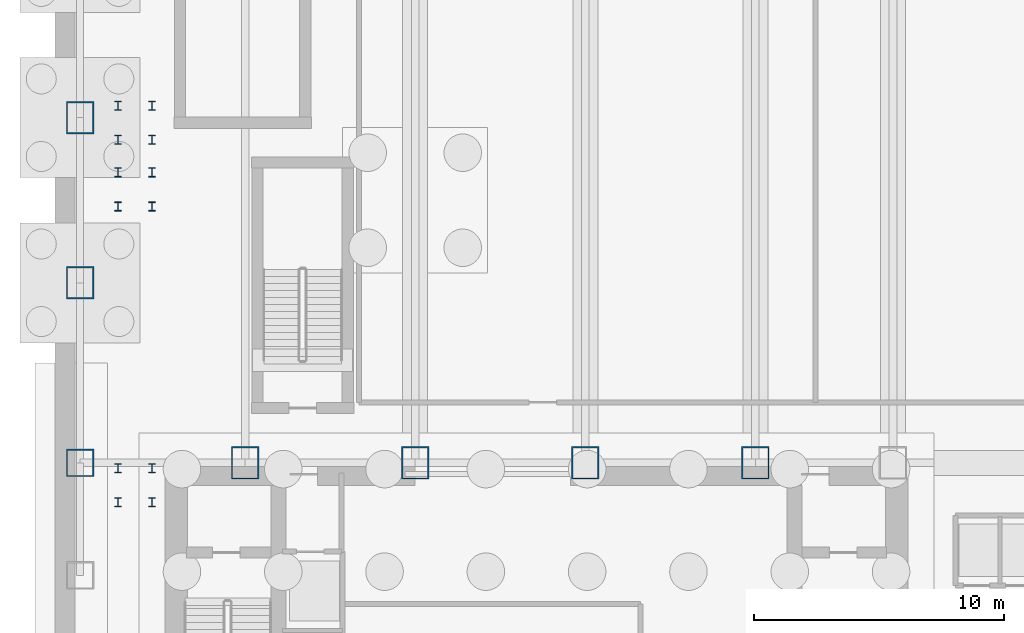
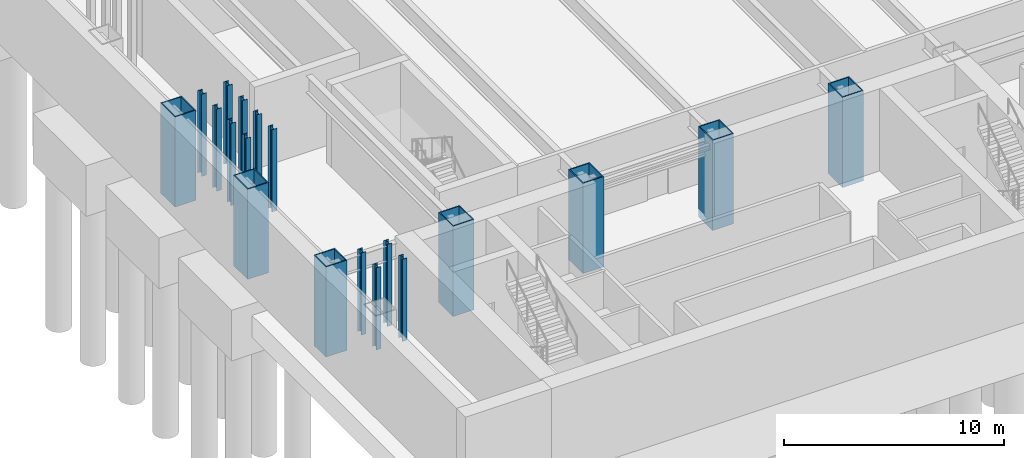
# One storey, part 3 of 17: 19 columns.
"""IFC4 building model written with IfcOpenShell, lengths in metres."""

import ifcopenshell
import ifcopenshell.guid

model = None  # the IFC model being written
_history = None  # IfcOwnerHistory: only IFC2X3 demands one
_inside = {}  # id of a spatial element -> (the spatial element, [elements in it])
_under = {}  # id of a project, library or spatial element -> (it, [spatial elements below it])
_declared = {}  # id of a project -> (the project, [libraries it declares])
_typed = {}  # id of a type object -> (the type object, [elements of that type])
_made_of = {}  # id of a material, layer set ... -> (it, [elements and type objects made of it])


def new_model(schema):
    """Start an empty IFC model of exactly this schema.

    Asked for "IFC4X3", IfcOpenShell would pick the latest addendum, in which some entities
    have other attributes; the version numbers below select the first issue.
    IFC2X3 requires an IfcOwnerHistory on every rooted entity: one is made here for all.
    """
    global model, _history
    if schema == "IFC4X3":
        model = ifcopenshell.file(schema_version=(4, 3, 0, 0))
    else:
        model = ifcopenshell.file(schema=schema)
    _inside.clear()
    _under.clear()
    _declared.clear()
    _typed.clear()
    _made_of.clear()
    _history = None
    if model.schema == "IFC2X3":
        org = make("IfcOrganization", Name="unknown")
        user = make(
            "IfcPersonAndOrganization",
            ThePerson=make("IfcPerson", FamilyName="unknown"),
            TheOrganization=org,
        )
        app = make(
            "IfcApplication",
            ApplicationDeveloper=org,
            Version="unknown",
            ApplicationFullName="unknown",
            ApplicationIdentifier="unknown",
        )
        _history = make(
            "IfcOwnerHistory",
            OwningUser=user,
            OwningApplication=app,
            ChangeAction="ADDED",
            CreationDate=0,
        )
    return model


def make(cls, **values):
    """One entity of the class cls with the attributes given. An attribute that is None is left unset."""
    return model.create_entity(
        cls, **{name: value for name, value in values.items() if value is not None}
    )


def rooted(cls, **values):
    """An entity with a GlobalId (a new one), such as an element, a storey or a relation."""
    return make(cls, GlobalId=ifcopenshell.guid.new(), OwnerHistory=_history, **values)


def si_unit(unit_type, name, prefix=None):
    """IfcSIUnit, for example si_unit("LENGTHUNIT", "METRE", prefix="MILLI")."""
    return make("IfcSIUnit", UnitType=unit_type, Prefix=prefix, Name=name)


def derived_unit(unit_type, elements):
    """IfcDerivedUnit: a product of units, each with its exponent."""
    return make(
        "IfcDerivedUnit",
        Elements=[
            make("IfcDerivedUnitElement", Unit=unit, Exponent=power)
            for unit, power in elements
        ],
        UnitType=unit_type,
    )


def assignment(units):
    """IfcUnitAssignment: the units of a project."""
    return None if units is None else make("IfcUnitAssignment", Units=units)


def point(xyz):
    """IfcCartesianPoint."""
    return None if xyz is None else make("IfcCartesianPoint", Coordinates=xyz)


def direction(xyz):
    """IfcDirection."""
    return None if xyz is None else make("IfcDirection", DirectionRatios=xyz)


def frame(location, z_axis=None, x_axis=None):
    """IfcAxis2Placement3D, a coordinate frame: its origin and axes. An axis left out is left unset."""
    return make(
        "IfcAxis2Placement3D",
        Location=point(location),
        Axis=direction(z_axis),
        RefDirection=direction(x_axis),
    )


def frame_2d(location, x_axis=None):
    """IfcAxis2Placement2D, a coordinate frame in the plane: its origin and x axis."""
    return make(
        "IfcAxis2Placement2D", Location=point(location), RefDirection=direction(x_axis)
    )


def origin():
    """The frame at (0, 0, 0) with its axes left unset."""
    return frame((0.0, 0.0, 0.0))


def origin_2d():
    """The frame at (0, 0) in the plane with its x axis left unset."""
    return frame_2d((0.0, 0.0))


def place(relative_to, where):
    """IfcLocalPlacement: puts the frame where relative to a parent placement (None: the world)."""
    return make(
        "IfcLocalPlacement", PlacementRelTo=relative_to, RelativePlacement=where
    )


def context(
    kind, dimensions, precision=None, world=None, true_north=None, identifier=None
):
    """IfcGeometricRepresentationContext, for example the 3D "Model" context."""
    return make(
        "IfcGeometricRepresentationContext",
        ContextIdentifier=identifier,
        ContextType=kind,
        CoordinateSpaceDimension=dimensions,
        Precision=precision,
        WorldCoordinateSystem=world,
        TrueNorth=true_north,
    )


def subcontext(parent, identifier, kind, view, scale=None):
    """IfcGeometricRepresentationSubContext, for example "Body" below "Model"."""
    return make(
        "IfcGeometricRepresentationSubContext",
        ContextIdentifier=identifier,
        ContextType=kind,
        ParentContext=parent,
        TargetScale=scale,
        TargetView=view,
    )


def project(units=None, contexts=None):
    """IfcProject with its units and contexts."""
    return rooted(
        "IfcProject",
        Name="project",
        RepresentationContexts=contexts,
        UnitsInContext=assignment(units),
    )


def spatial(cls, under=None, at=None, **own):
    """A site, building, storey or space (cls), placed at a placement, below another one or the project."""
    s = rooted(cls, ObjectPlacement=at, **own)
    if under is not None:
        _under.setdefault(under.id(), (under, []))[1].append(s)
    return s


def profile(cls, at=None, kind="AREA", **sizes):
    """A parametric profile (cls). Its sizes go by their IFC names, for example OverallWidth=200.0."""
    return make(cls, ProfileType=kind, Position=at, **sizes)


def hollow_rectangle(**sizes):
    """IfcRectangleHollowProfileDef."""
    return profile("IfcRectangleHollowProfileDef", **sizes)


def i_section(**sizes):
    """IfcIShapeProfileDef."""
    return profile("IfcIShapeProfileDef", **sizes)


def extrude(swept, where, along, depth):
    """IfcExtrudedAreaSolid: the profile swept, set in the frame where, extruded along a direction by depth."""
    return make(
        "IfcExtrudedAreaSolid",
        SweptArea=swept,
        Position=where,
        ExtrudedDirection=direction(along),
        Depth=depth,
    )


def shape(context_of_items, identifier, shape_type, items):
    """IfcShapeRepresentation: the items that make up one representation, for example the "Body"."""
    return make(
        "IfcShapeRepresentation",
        ContextOfItems=context_of_items,
        RepresentationIdentifier=identifier,
        RepresentationType=shape_type,
        Items=items,
    )


def source(mapping_origin, context_of_items, identifier, shape_type, items):
    """IfcRepresentationMap: a shape defined once, which mapped items show again and again."""
    return make(
        "IfcRepresentationMap",
        MappingOrigin=mapping_origin,
        MappedRepresentation=shape(context_of_items, identifier, shape_type, items),
    )


def transform(
    local_origin,
    x_axis=None,
    y_axis=None,
    z_axis=None,
    scale=None,
    scale2=None,
    scale3=None,
    uniform=True,
):
    """IfcCartesianTransformationOperator3D, or its non-uniform kind. x_axis, y_axis, z_axis: its Axis1, 2, 3."""
    if uniform:
        return make(
            "IfcCartesianTransformationOperator3D",
            Axis1=direction(x_axis),
            Axis2=direction(y_axis),
            LocalOrigin=point(local_origin),
            Scale=scale,
            Axis3=direction(z_axis),
        )
    return make(
        "IfcCartesianTransformationOperator3DnonUniform",
        Axis1=direction(x_axis),
        Axis2=direction(y_axis),
        LocalOrigin=point(local_origin),
        Scale=scale,
        Axis3=direction(z_axis),
        Scale2=scale2,
        Scale3=scale3,
    )


def mapped(mapping_source, mapping_target):
    """IfcMappedItem: shows the shape of a source again, moved by a transform."""
    return make(
        "IfcMappedItem", MappingSource=mapping_source, MappingTarget=mapping_target
    )


def material(Name=None, Category=None):
    """IfcMaterial."""
    return make("IfcMaterial", Name=Name, Category=Category)


def material_profile(
    of_material, cross_section, Name=None, Category=None, Priority=None
):
    """IfcMaterialProfile: a cross section and its material."""
    return make(
        "IfcMaterialProfile",
        Name=Name,
        Material=of_material,
        Profile=cross_section,
        Priority=Priority,
        Category=Category,
    )


def profile_set(profiles, Name=None, composite=None):
    """IfcMaterialProfileSet."""
    return make(
        "IfcMaterialProfileSet",
        Name=Name,
        MaterialProfiles=profiles,
        CompositeProfile=composite,
    )


def made_of(thing, what):
    """Note that an element or type object is made of a material, layer set ...; save() writes the relation."""
    if what is not None:
        _made_of.setdefault(what.id(), (what, []))[1].append(thing)
    return thing


def type_object(cls, material=None, **own):
    """A type object (cls), such as IfcWallType, which elements share."""
    return made_of(rooted(cls, **own), material)


def element(
    cls,
    number,
    at=None,
    inside=None,
    cuts=None,
    type_object=None,
    material=None,
    context=None,
    identifier="Body",
    shape_type=None,
    held_by="IfcProductDefinitionShape",
    body=None,
    shapes=None,
    **own,
):
    """One element of the class cls, such as IfcWall. Its Tag is "e" and its number.

    at: its placement. inside: the storey or other place that contains it. cuts: it is an
    opening in that element (IfcRelVoidsElement). A single representation is given by context,
    identifier, shape_type and body (its items); several are given by shapes. held_by: the class
    of the entity that holds the representations. save() writes the other relations.
    """
    e = rooted(cls, Tag="e%d" % number, ObjectPlacement=at, **own)
    if body is not None:
        shapes = [shape(context, identifier, shape_type, body)]
    if shapes is not None:
        e.Representation = make(held_by, Representations=shapes)
    if inside is not None:
        _inside.setdefault(inside.id(), (inside, []))[1].append(e)
    if cuts is not None:
        rooted(
            "IfcRelVoidsElement", RelatingBuildingElement=cuts, RelatedOpeningElement=e
        )
    if type_object is not None:
        _typed.setdefault(type_object.id(), (type_object, []))[1].append(e)
    return made_of(e, material)


def aggregate(whole, parts):
    """IfcRelAggregates: a whole, such as a stair, and the parts it consists of."""
    return rooted("IfcRelAggregates", RelatingObject=whole, RelatedObjects=parts)


def save(model, path):
    """Write the relations noted so far, then the file.

    IfcRelAggregates (storeys below a building ...), IfcRelContainedInSpatialStructure (elements
    in a storey), IfcRelDefinesByType, IfcRelAssociatesMaterial and IfcRelDeclares: one each for
    every whole, place, type object, material and project.
    """
    for whole, parts in _under.values():
        aggregate(whole, parts)
    for where, things in _inside.values():
        rooted(
            "IfcRelContainedInSpatialStructure",
            RelatedElements=things,
            RelatingStructure=where,
        )
    for kind, things in _typed.values():
        rooted("IfcRelDefinesByType", RelatedObjects=things, RelatingType=kind)
    for what, things in _made_of.values():
        rooted("IfcRelAssociatesMaterial", RelatedObjects=things, RelatingMaterial=what)
    for by, libraries in _declared.values():
        rooted("IfcRelDeclares", RelatingContext=by, RelatedDefinitions=libraries)
    model.write(path)


model = new_model("IFC4")

# Units and contexts
model_context = context("Model", 3, precision=1e-05, world=origin(), true_north=direction((0.0, 1.0)))
body_context = subcontext(model_context, "Body", "Model", "MODEL_VIEW")
ifc_project = project(units=[si_unit("LENGTHUNIT", "METRE"), si_unit("AREAUNIT", "SQUARE_METRE"), si_unit("VOLUMEUNIT", "CUBIC_METRE"), si_unit("PLANEANGLEUNIT", "RADIAN"), si_unit("MASSUNIT", "GRAM", prefix="KILO"), derived_unit("THERMALTRANSMITTANCEUNIT", [(si_unit("POWERUNIT", "WATT"), 1), (si_unit("LENGTHUNIT", "METRE"), -2), (si_unit("THERMODYNAMICTEMPERATUREUNIT", "KELVIN"), -1)])], contexts=[model_context])

# Site, building, storey
site_placement = place(None, origin())
site = spatial("IfcSite", under=ifc_project, at=site_placement, CompositionType="ELEMENT")
building_placement = place(site_placement, origin())
building = spatial("IfcBuilding", under=site, at=building_placement, Name="Skarnbrae Concourse Arena and Tower", CompositionType="ELEMENT")
storey_placement = place(building_placement, frame((0.0, 0.0, -10.0)))
storey = spatial("IfcBuildingStorey", under=building, at=storey_placement, Name="B02", CompositionType="ELEMENT", Elevation=-10.0)

# Columns
ifc_material = material(Name="Steel CSA G40.21 350W", Category="steel")
ifc_material_profile_1 = material_profile(ifc_material, hollow_rectangle(XDim=1.10009765625, YDim=1.10009765625, WallThickness=0.050048828125, at=origin_2d()), Name="BOX1100X1100X50")
ifc_profile_set_1 = profile_set([ifc_material_profile_1], Name="Steel CSA G40.21 350W")
column_type_1 = type_object("IfcColumnType", Name="COL-MEGA-BOX1100", PredefinedType="PILASTER", material=ifc_profile_set_1)
shared_shape_1 = source(origin(), body_context, "Body", "SweptSolid", [
    extrude(hollow_rectangle(XDim=1.10009765625, YDim=1.10009765625, WallThickness=0.050048828125, at=origin_2d()), origin(), (0.0, 0.0, 1.0), 5.0),
])
column_placement = place(storey_placement, frame((1.0, 14.0, 0.0), z_axis=(0.0, 0.0, 1.0), x_axis=(1.0, 0.0, 0.0)))
element("IfcColumn", 1, at=column_placement, inside=storey, type_object=column_type_1, Name="B02 Podium mega-column MC-W1", PredefinedType="PILASTER", context=body_context, shape_type="MappedRepresentation", body=[
    mapped(shared_shape_1, transform((0.0, 0.0, 0.0))),
])
ifc_material_profile_2 = material_profile(ifc_material, hollow_rectangle(XDim=1.10009765625, YDim=1.300048828125, WallThickness=0.054931640625, at=origin_2d()), Name="BOX1300X1100X55")
ifc_profile_set_2 = profile_set([ifc_material_profile_2], Name="Steel CSA G40.21 350W")
column_type_2 = type_object("IfcColumnType", Name="COL-MEGA-BOX1300", PredefinedType="PILASTER", material=ifc_profile_set_2)
shared_shape_2 = source(origin(), body_context, "Body", "SweptSolid", [
    extrude(hollow_rectangle(XDim=1.10009765625, YDim=1.300048828125, WallThickness=0.054931640625, at=origin_2d()), origin(), (0.0, 0.0, 1.0), 5.0),
])
for number, where, z_axis, x_axis, name in (
    (2, (1.0, 21.199951171875, 0.0), (0.0, 0.0, 1.0), (1.0, 0.0, 0.0), "B02 Podium mega-column MC-W2"),
    (3, (1.0, 27.800048828125, 0.0), (0.0, 0.0, 1.0), (1.0, 0.0, 0.0), "B02 Podium mega-column MC-W3"),
    (4, (7.60009765625, 14.0, 0.0), (0.0, 0.0, 1.0), (1.0, 0.0, 0.0), "B02 Podium mega-column MC-S2"),
    (5, (14.39990234375, 14.0, 0.0), (0.0, 0.0, 1.0), (1.0, 0.0, 0.0), "B02 Podium mega-column MC-S3"),
    (6, (21.199951171875, 14.0, 0.0), (0.0, 0.0, 1.0), (1.0, 0.0, 0.0), "B02 Podium mega-column MC-S4"),
    (7, (28.0, 14.0, 0.0), (0.0, 0.0, 1.0), (1.0, 0.0, 0.0), "B02 Podium mega-column MC-S5"),
):
    element("IfcColumn", number, at=place(storey_placement, frame(where, z_axis=z_axis, x_axis=x_axis)), inside=storey, type_object=column_type_2, Name=name, PredefinedType="PILASTER", context=body_context, shape_type="MappedRepresentation", body=[
        mapped(shared_shape_2, transform((0.0, 0.0, 0.0))),
    ])
ifc_material_profile_3 = material_profile(ifc_material, i_section(OverallWidth=0.257080078125, OverallDepth=0.363037109375, WebThickness=0.012939453125, FlangeThickness=0.021728515625, at=origin_2d()), Name="W360X122")
ifc_profile_set_3 = profile_set([ifc_material_profile_3], Name="Steel CSA G40.21 350W")
column_type_3 = type_object("IfcColumnType", Name="COL-POD-W360X122", PredefinedType="COLUMN", material=ifc_profile_set_3)
shared_shape_3 = source(origin(), body_context, "Body", "SweptSolid", [
    extrude(i_section(OverallWidth=0.257080078125, OverallDepth=0.363037109375, WebThickness=0.012939453125, FlangeThickness=0.021728515625, at=origin_2d()), origin(), (0.0, 0.0, 1.0), 4.550048828125),
])
for number, where, z_axis, x_axis, name in (
    (8, (2.52001953125, 12.419921875, 0.449951171875), (0.0, 0.0, 1.0), (1.0, 0.0, 0.0), "B02 Concourse stair ST-CONC-2-L00 BOT post 11"),
    (9, (2.52001953125, 13.780029296875, 0.449951171875), (0.0, 0.0, 1.0), (1.0, 0.0, 0.0), "B02 Concourse stair ST-CONC-2-L00 BOT post 12"),
    (10, (3.8798828125, 12.419921875, 0.449951171875), (0.0, 0.0, 1.0), (1.0, 0.0, 0.0), "B02 Concourse stair ST-CONC-2-L00 BOT post 21"),
    (11, (3.8798828125, 13.780029296875, 0.449951171875), (0.0, 0.0, 1.0), (1.0, 0.0, 0.0), "B02 Concourse stair ST-CONC-2-L00 BOT post 22"),
    (12, (2.52001953125, 24.25, 0.449951171875), (0.0, 0.0, 1.0), (1.0, 0.0, 0.0), "B02 Concourse stair ST-CONC-2-L00 TOP post 11"),
    (13, (2.52001953125, 25.610107421875, 0.449951171875), (0.0, 0.0, 1.0), (1.0, 0.0, 0.0), "B02 Concourse stair ST-CONC-2-L00 TOP post 12"),
    (14, (3.8798828125, 24.25, 0.449951171875), (0.0, 0.0, 1.0), (1.0, 0.0, 0.0), "B02 Concourse stair ST-CONC-2-L00 TOP post 21"),
    (15, (3.8798828125, 25.610107421875, 0.449951171875), (0.0, 0.0, 1.0), (1.0, 0.0, 0.0), "B02 Concourse stair ST-CONC-2-L00 TOP post 22"),
    (16, (2.52001953125, 26.919921875, 0.449951171875), (0.0, 0.0, 1.0), (1.0, 0.0, 0.0), "B02 Concourse stair ST-CONC-2-L01 BOT post 11"),
    (17, (2.52001953125, 28.280029296875, 0.449951171875), (0.0, 0.0, 1.0), (1.0, 0.0, 0.0), "B02 Concourse stair ST-CONC-2-L01 BOT post 12"),
    (18, (3.8798828125, 26.919921875, 0.449951171875), (0.0, 0.0, 1.0), (1.0, 0.0, 0.0), "B02 Concourse stair ST-CONC-2-L01 BOT post 21"),
    (19, (3.8798828125, 28.280029296875, 0.449951171875), (0.0, 0.0, 1.0), (1.0, 0.0, 0.0), "B02 Concourse stair ST-CONC-2-L01 BOT post 22"),
):
    element("IfcColumn", number, at=place(storey_placement, frame(where, z_axis=z_axis, x_axis=x_axis)), inside=storey, type_object=column_type_3, Name=name, PredefinedType="COLUMN", context=body_context, shape_type="MappedRepresentation", body=[
        mapped(shared_shape_3, transform((0.0, 0.0, 0.0))),
    ])

save(model, "model.ifc")
